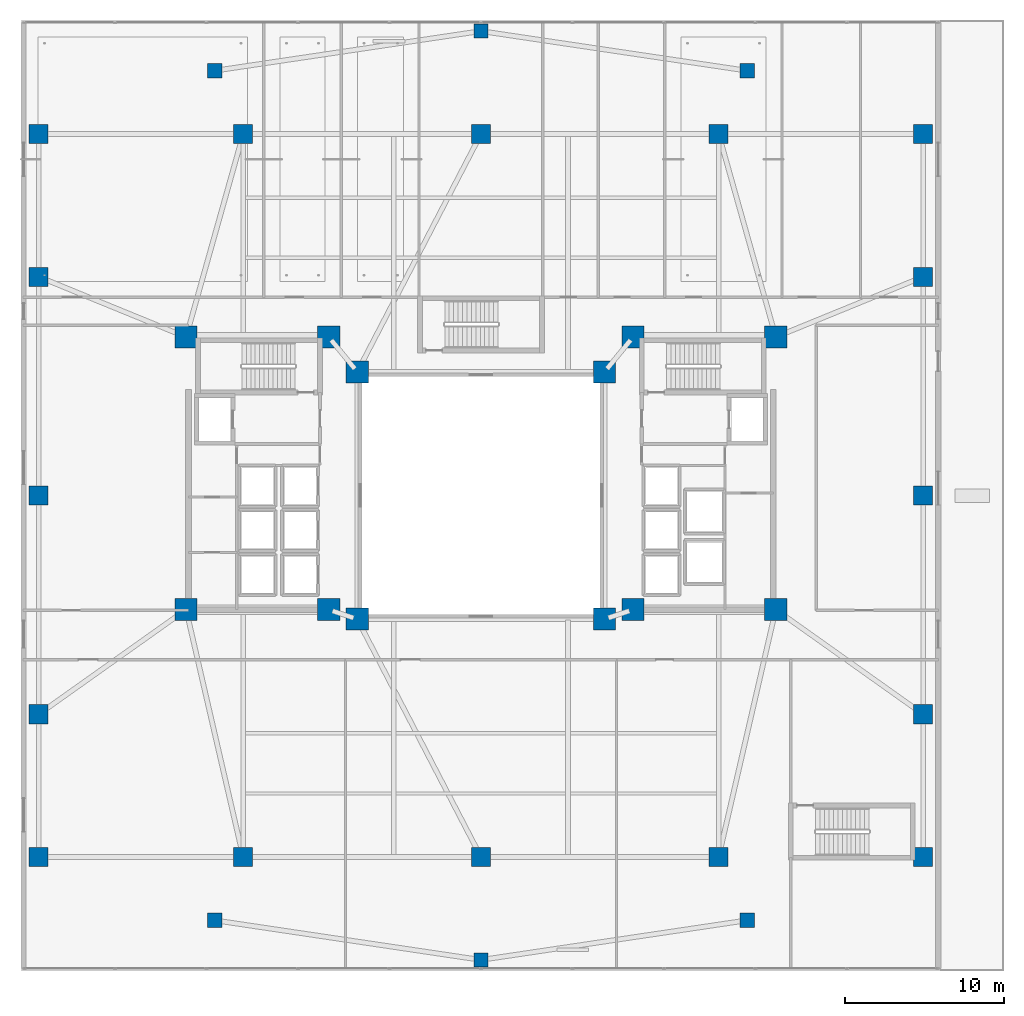
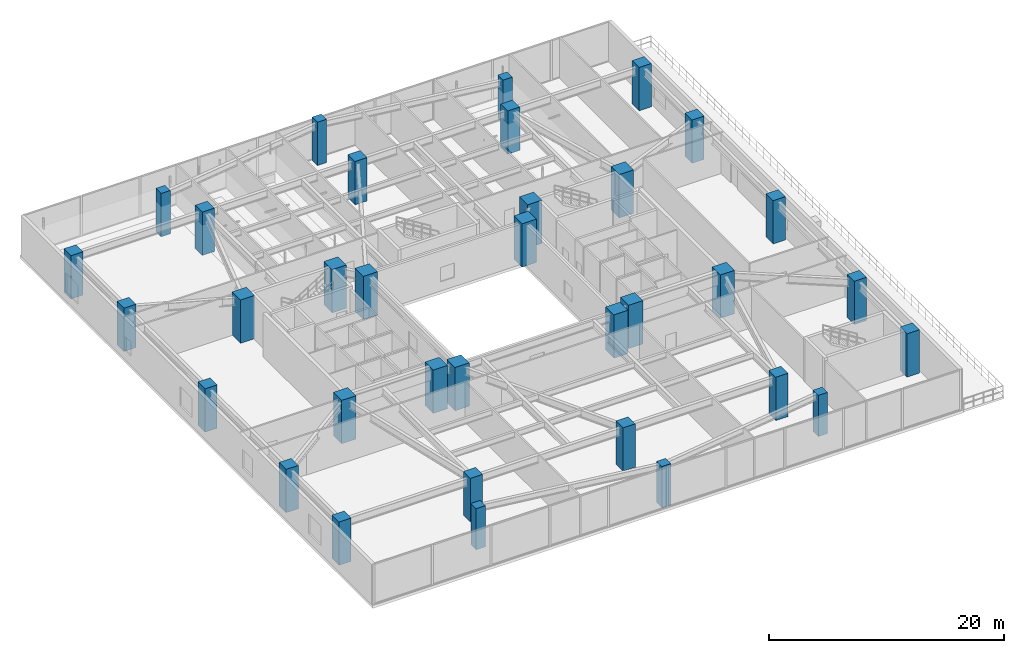
# One storey, part 1 of 27: 34 columns.
"""IFC4 building model written with IfcOpenShell, lengths in metres."""

from ifc_helpers import new_model, si_unit, direction, frame, origin, origin_2d, place, context, subcontext, project, spatial, rectangle, extrude, material, material_profile, profile_set, type_object, element, save


model = new_model("IFC4")

# Units and contexts
model_context = context("Model", 3, precision=1e-05, world=origin(), true_north=direction((0.0, 1.0)))
body_context = subcontext(model_context, "Body", "Model", "MODEL_VIEW")
ifc_project = project(units=[si_unit("LENGTHUNIT", "METRE"), si_unit("AREAUNIT", "SQUARE_METRE"), si_unit("VOLUMEUNIT", "CUBIC_METRE"), si_unit("PLANEANGLEUNIT", "RADIAN"), si_unit("MASSUNIT", "GRAM", prefix="KILO")], contexts=[model_context])

# Site, building, storey
site_placement = place(None, origin())
site = spatial("IfcSite", under=ifc_project, at=site_placement, CompositionType="ELEMENT")
building_placement = place(site_placement, origin())
building = spatial("IfcBuilding", under=site, at=building_placement, Name="Tarnavaz Court Tower", CompositionType="ELEMENT")
storey_placement = place(building_placement, frame((0.0, 0.0, 9.89990234375)))
storey = spatial("IfcBuildingStorey", under=building, at=storey_placement, Name="L02", CompositionType="ELEMENT", Elevation=9.89990234375)

# Columns
ifc_material_1 = material(Name="Concrete C60/75", Category="concrete")
ifc_material_profile_1 = material_profile(ifc_material_1, rectangle(XDim=1.199951171875, YDim=1.199951171875, at=origin_2d()), Name="RC 1200X1200")
ifc_profile_set_1 = profile_set([ifc_material_profile_1], Name="Concrete C60/75")
column_type_1 = type_object("IfcColumnType", Name="CL-RC1200", PredefinedType="COLUMN", material=ifc_profile_set_1)
for number, where, z_axis, x_axis, name in (
    (1, (-27.89990234375, 22.800048828125, 0.0), (0.0, 0.0, 1.0), (1.0, 0.0, 0.0), "L02 Column PM-NW"),
    (2, (-15.0, 22.800048828125, 0.0), (0.0, 0.0, 1.0), (1.0, 0.0, 0.0), "L02 Column PM-N1"),
    (3, (0.0, 22.800048828125, 0.0), (0.0, 0.0, 1.0), (1.0, 0.0, 0.0), "L02 Column PM-N2"),
    (4, (15.0, 22.800048828125, 0.0), (0.0, 0.0, 1.0), (1.0, 0.0, 0.0), "L02 Column PM-N3"),
    (5, (27.89990234375, 22.800048828125, 0.0), (0.0, 0.0, 1.0), (1.0, 0.0, 0.0), "L02 Column PM-NE"),
    (6, (-27.89990234375, -22.800048828125, 0.0), (0.0, 0.0, 1.0), (1.0, 0.0, 0.0), "L02 Column PM-SW"),
    (7, (-15.0, -22.800048828125, 0.0), (0.0, 0.0, 1.0), (1.0, 0.0, 0.0), "L02 Column PM-S1"),
    (8, (0.0, -22.800048828125, 0.0), (0.0, 0.0, 1.0), (1.0, 0.0, 0.0), "L02 Column PM-S2"),
    (9, (15.0, -22.800048828125, 0.0), (0.0, 0.0, 1.0), (1.0, 0.0, 0.0), "L02 Column PM-S3"),
    (10, (27.89990234375, -22.800048828125, 0.0), (0.0, 0.0, 1.0), (1.0, 0.0, 0.0), "L02 Column PM-SE"),
    (11, (-27.89990234375, -13.800048828125, 0.0), (0.0, 0.0, 1.0), (1.0, 0.0, 0.0), "L02 Column PM-W1"),
    (12, (-27.89990234375, 0.0, 0.0), (0.0, 0.0, 1.0), (1.0, 0.0, 0.0), "L02 Column PM-W2"),
    (13, (-27.89990234375, 13.800048828125, 0.0), (0.0, 0.0, 1.0), (1.0, 0.0, 0.0), "L02 Column PM-W3"),
    (14, (27.89990234375, -13.800048828125, 0.0), (0.0, 0.0, 1.0), (1.0, 0.0, 0.0), "L02 Column PM-E1"),
    (15, (27.89990234375, 0.0, 0.0), (0.0, 0.0, 1.0), (1.0, 0.0, 0.0), "L02 Column PM-E2"),
    (16, (27.89990234375, 13.800048828125, 0.0), (0.0, 0.0, 1.0), (1.0, 0.0, 0.0), "L02 Column PM-E3"),
):
    element("IfcColumn", number, at=place(storey_placement, frame(where, z_axis=z_axis, x_axis=x_axis)), inside=storey, type_object=column_type_1, Name=name, PredefinedType="COLUMN", context=body_context, shape_type="SweptSolid", body=[
        extrude(rectangle(XDim=1.199951171875, YDim=1.199951171875, at=origin_2d()), origin(), (0.0, 0.0, 1.0), 4.5),
    ])
ifc_material_profile_2 = material_profile(ifc_material_1, rectangle(XDim=1.39990234375, YDim=1.39990234375, at=origin_2d()), Name="RC 1400X1400")
ifc_profile_set_2 = profile_set([ifc_material_profile_2], Name="Concrete C60/75")
column_type_2 = type_object("IfcColumnType", Name="CL-RC1400", PredefinedType="COLUMN", material=ifc_profile_set_2)
for number, where, z_axis, x_axis, name in (
    (17, (-7.800048828125, -7.800048828125, 0.0), (0.0, 0.0, 1.0), (1.0, 0.0, 0.0), "L02 Column IW-SW"),
    (18, (7.800048828125, -7.800048828125, 0.0), (0.0, 0.0, 1.0), (1.0, 0.0, 0.0), "L02 Column IW-SE"),
    (19, (-7.800048828125, 7.800048828125, 0.0), (0.0, 0.0, 1.0), (1.0, 0.0, 0.0), "L02 Column IW-NW"),
    (20, (7.800048828125, 7.800048828125, 0.0), (0.0, 0.0, 1.0), (1.0, 0.0, 0.0), "L02 Column IW-NE"),
    (21, (-9.60009765625, -7.199951171875, 0.0), (0.0, 0.0, 1.0), (1.0, 0.0, 0.0), "L02 Column CW-SI"),
    (22, (-9.60009765625, 10.0, 0.0), (0.0, 0.0, 1.0), (1.0, 0.0, 0.0), "L02 Column CW-NI"),
    (23, (9.60009765625, -7.199951171875, 0.0), (0.0, 0.0, 1.0), (1.0, 0.0, 0.0), "L02 Column CE-SI"),
    (24, (9.60009765625, 10.0, 0.0), (0.0, 0.0, 1.0), (1.0, 0.0, 0.0), "L02 Column CE-NI"),
    (25, (-18.60009765625, -7.199951171875, 0.0), (0.0, 0.0, 1.0), (1.0, 0.0, 0.0), "L02 Column CW-SO"),
    (26, (-18.60009765625, 10.0, 0.0), (0.0, 0.0, 1.0), (1.0, 0.0, 0.0), "L02 Column CW-NO"),
    (27, (18.60009765625, -7.199951171875, 0.0), (0.0, 0.0, 1.0), (1.0, 0.0, 0.0), "L02 Column CE-SO"),
    (28, (18.60009765625, 10.0, 0.0), (0.0, 0.0, 1.0), (1.0, 0.0, 0.0), "L02 Column CE-NO"),
):
    element("IfcColumn", number, at=place(storey_placement, frame(where, z_axis=z_axis, x_axis=x_axis)), inside=storey, type_object=column_type_2, Name=name, PredefinedType="COLUMN", context=body_context, shape_type="SweptSolid", body=[
        extrude(rectangle(XDim=1.39990234375, YDim=1.39990234375, at=origin_2d()), origin(), (0.0, 0.0, 1.0), 4.5),
    ])
ifc_material_2 = material(Name="Concrete C50/60", Category="concrete")
ifc_material_profile_3 = material_profile(ifc_material_2, rectangle(XDim=0.89990234375, YDim=0.89990234375, at=origin_2d()), Name="RC 900X900")
ifc_profile_set_3 = profile_set([ifc_material_profile_3], Name="Concrete C50/60")
column_type_3 = type_object("IfcColumnType", Name="CL-RC900", PredefinedType="COLUMN", material=ifc_profile_set_3)
for number, where, z_axis, x_axis, name in (
    (29, (-16.800048828125, -26.800048828125, 0.0), (0.0, 0.0, 1.0), (1.0, 0.0, 0.0), "L02 Column POD-S1"),
    (30, (0.0, -29.300048828125, 0.0), (0.0, 0.0, 1.0), (1.0, 0.0, 0.0), "L02 Column POD-S2"),
    (31, (16.800048828125, -26.800048828125, 0.0), (0.0, 0.0, 1.0), (1.0, 0.0, 0.0), "L02 Column POD-S3"),
):
    element("IfcColumn", number, at=place(storey_placement, frame(where, z_axis=z_axis, x_axis=x_axis)), inside=storey, type_object=column_type_3, Name=name, PredefinedType="COLUMN", context=body_context, shape_type="SweptSolid", body=[
        extrude(rectangle(XDim=0.89990234375, YDim=0.89990234375, at=origin_2d()), origin(), (0.0, 0.0, 1.0), 4.280029296875),
    ])
for number, where, z_axis, x_axis, name in (
    (32, (-16.800048828125, 26.800048828125, 0.0), (0.0, 0.0, 1.0), (1.0, 0.0, 0.0), "L02 Column POD-N1"),
    (33, (0.0, 29.300048828125, 0.0), (0.0, 0.0, 1.0), (1.0, 0.0, 0.0), "L02 Column POD-N2"),
    (34, (16.800048828125, 26.800048828125, 0.0), (0.0, 0.0, 1.0), (1.0, 0.0, 0.0), "L02 Column POD-N3"),
):
    element("IfcColumn", number, at=place(storey_placement, frame(where, z_axis=z_axis, x_axis=x_axis)), inside=storey, type_object=column_type_3, Name=name, PredefinedType="COLUMN", context=body_context, shape_type="SweptSolid", body=[
        extrude(rectangle(XDim=0.89990234375, YDim=0.89990234375, at=origin_2d()), origin(), (0.0, 0.0, 1.0), 4.5),
    ])

save(model, "model.ifc")
